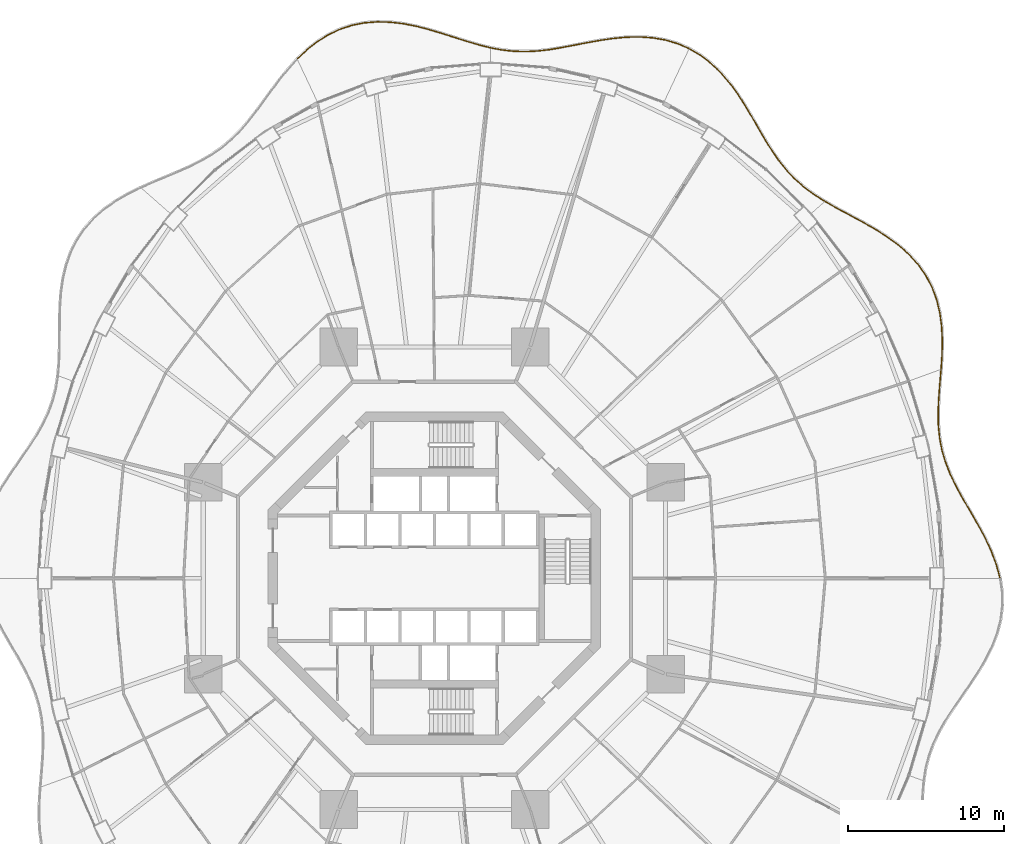
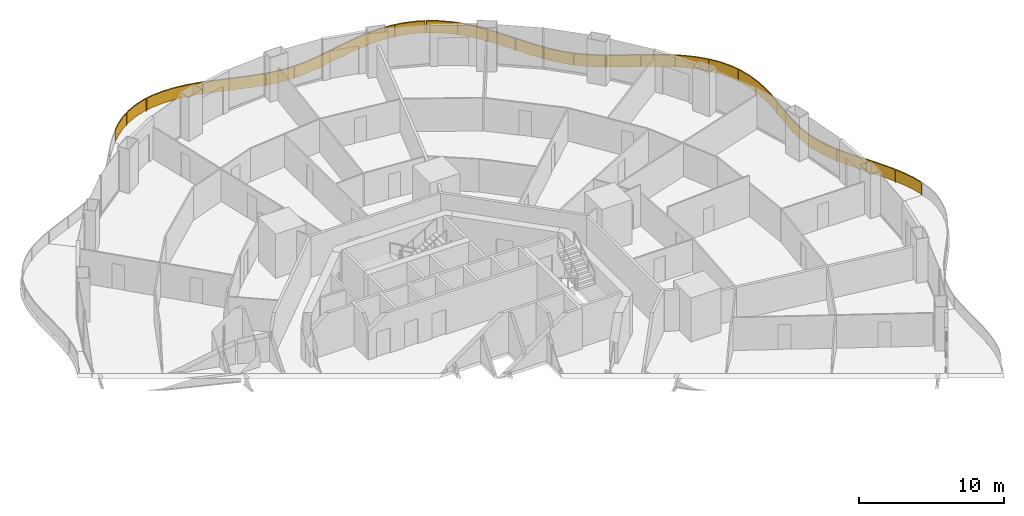
# One storey, part 22 of 22: 5 railings.
"""IFC4 building model written with IfcOpenShell, lengths in metres."""

from ifc_helpers import new_model, si_unit, direction, frame, origin, origin_2d, place, context, subcontext, project, spatial, polyline, rectangle, outline, extrude, material, type_object, element, save


model = new_model("IFC4")

# Units and contexts
model_context = context("Model", 3, precision=1e-05, world=origin(), true_north=direction((0.0, 1.0)))
body_context = subcontext(model_context, "Body", "Model", "MODEL_VIEW")
ifc_project = project(units=[si_unit("LENGTHUNIT", "METRE"), si_unit("AREAUNIT", "SQUARE_METRE"), si_unit("VOLUMEUNIT", "CUBIC_METRE"), si_unit("PLANEANGLEUNIT", "RADIAN"), si_unit("MASSUNIT", "GRAM", prefix="KILO")], contexts=[model_context])

# Site, building, storey
site_placement = place(None, origin())
site = spatial("IfcSite", under=ifc_project, at=site_placement, CompositionType="ELEMENT")
building_placement = place(site_placement, origin())
building = spatial("IfcBuilding", under=site, at=building_placement, Name="Nagisa Residences", CompositionType="ELEMENT")
storey_placement = place(building_placement, frame((0.0, 0.0, 34.39990234375)))
storey = spatial("IfcBuildingStorey", under=building, at=storey_placement, Name="L07", CompositionType="ELEMENT", Elevation=34.39990234375)

# Railings
ifc_material = material(Name="Stainless steel 316", Category="steel")
railing_type = type_object("IfcRailingType", Name="BALCONY GUARD 1100", PredefinedType="BALUSTRADE", material=ifc_material)
railing_1_placement = place(storey_placement, frame((36.14404296875, 0.037353515625, 0.0)))
element("IfcRailing", 1, at=railing_1_placement, inside=storey, type_object=railing_type, Name="guard:L07:bal00-0", PredefinedType="BALUSTRADE", context=body_context, shape_type="SweptSolid", body=[
    extrude(outline(polyline([(-0.247802734375, 0.827392578125), (-0.024169921875, -0.006591796875), (0.024169921875, 0.006591796875), (-0.199951171875, 0.842529296875), (-0.527587890625, 1.710693359375), (-0.926513671875, 2.561279296875), (-1.372802734375, 3.392578125), (-1.84033203125, 4.204833984375), (-2.301025390625, 4.987060546875), (-2.733642578125, 5.771240234375), (-3.115234375, 6.550537109375), (-3.43017578125, 7.331298828125), (-3.668212890625, 8.121826171875), (-3.82275390625, 8.915283203125), (-3.90380859375, 9.744873046875), (-3.917236328125, 10.6005859375), (-3.879638671875, 11.48388671875), (-3.810791015625, 12.392578125), (-3.73583984375, 13.277099609375), (-3.78564453125, 13.281494140625), (-3.860595703125, 12.396484375), (-3.929443359375, 11.48681640625), (-3.967529296875, 10.60107421875), (-3.95361328125, 9.741943359375), (-3.87255859375, 8.907958984375), (-3.717041015625, 8.109619140625), (-3.4775390625, 7.314697265625), (-3.1611328125, 6.530029296875), (-2.778076171875, 5.748291015625), (-2.344482421875, 4.962158203125), (-1.8837890625, 4.179443359375), (-1.416748046875, 3.3681640625), (-0.971435546875, 2.538818359375), (-0.573486328125, 1.691162109375), (-0.247802734375, 0.827392578125)])), frame((0.0, 0.0, 1.050048828125)), (0.0, 0.0, 1.0), 0.050048828125),
    extrude(outline(polyline([(-0.23046875, 0.832763671875), (-0.0068359375, -0.001708984375), (0.0068359375, 0.001708984375), (-0.21728515625, 0.837158203125), (-0.544189453125, 1.70361328125), (-0.942626953125, 2.55322265625), (-1.388671875, 3.3837890625), (-1.85595703125, 4.195556640625), (-2.316650390625, 4.97802734375), (-2.749755859375, 5.762939453125), (-3.1318359375, 6.543212890625), (-3.447265625, 7.325439453125), (-3.685791015625, 8.117431640625), (-3.8408203125, 8.91259765625), (-3.921630859375, 9.743896484375), (-3.935302734375, 10.600830078125), (-3.8974609375, 11.48486328125), (-3.82861328125, 12.39404296875), (-3.753662109375, 13.27880859375), (-3.767822265625, 13.27978515625), (-3.8427734375, 12.39501953125), (-3.91162109375, 11.48583984375), (-3.949462890625, 10.600830078125), (-3.935791015625, 9.742919921875), (-3.8544921875, 8.91064453125), (-3.699462890625, 8.114013671875), (-3.46044921875, 7.320556640625), (-3.14453125, 6.537353515625), (-2.761962890625, 5.756591796875), (-2.328857421875, 4.97119140625), (-1.8681640625, 4.188720703125), (-1.40087890625, 3.376953125), (-0.955322265625, 2.546875), (-0.556884765625, 1.6982421875), (-0.23046875, 0.832763671875)])), frame((0.0, 0.0, 0.06005859375)), (0.0, 0.0, 1.0), 0.989990234375),
    extrude(rectangle(XDim=0.0400390625, YDim=0.0400390625, at=origin_2d()), origin(), (0.0, 0.0, 1.0), 1.050048828125),
    extrude(rectangle(XDim=0.0400390625, YDim=0.0400390625, at=origin_2d()), frame((-0.79150390625, 2.214111328125, 0.0)), (0.0, 0.0, 1.0), 1.050048828125),
    extrude(rectangle(XDim=0.0400390625, YDim=0.0400390625, at=origin_2d()), frame((-1.916259765625, 4.2841796875, 0.0)), (0.0, 0.0, 1.0), 1.050048828125),
    extrude(rectangle(XDim=0.0400390625, YDim=0.0400390625, at=origin_2d()), frame((-3.0458984375, 6.351806640625, 0.0)), (0.0, 0.0, 1.0), 1.050048828125),
    extrude(rectangle(XDim=0.0400390625, YDim=0.0400390625, at=origin_2d()), frame((-3.783447265625, 8.582275390625, 0.0)), (0.0, 0.0, 1.0), 1.050048828125),
    extrude(rectangle(XDim=0.0400390625, YDim=0.0400390625, at=origin_2d()), frame((-3.928466796875, 10.9287109375, 0.0)), (0.0, 0.0, 1.0), 1.050048828125),
    extrude(rectangle(XDim=0.0400390625, YDim=0.0400390625, at=origin_2d()), frame((-3.7607421875, 13.279296875, 0.0)), (0.0, 0.0, 1.0), 1.050048828125),
])
railing_2_placement = place(storey_placement, frame((32.390380859375, 13.392822265625, 0.0)))
element("IfcRailing", 2, at=railing_2_placement, inside=storey, type_object=railing_type, Name="guard:L07:bal01-0", PredefinedType="BALUSTRADE", context=body_context, shape_type="SweptSolid", body=[
    extrude(outline(polyline([(0.032470703125, 0.86865234375), (-0.02490234375, 0.001708984375), (0.02490234375, -0.001708984375), (0.082275390625, 0.86669921875), (0.1015625, 1.783203125), (0.060546875, 2.6923828125), (-0.057861328125, 3.58251953125), (-0.267333984375, 4.442138671875), (-0.569580078125, 5.247802734375), (-0.980712890625, 6.016357421875), (-1.490478515625, 6.728515625), (-2.09130859375, 7.380859375), (-2.76953125, 7.9736328125), (-3.5, 8.498779296875), (-4.27978515625, 8.98876953125), (-5.0810546875, 9.4423828125), (-5.882568359375, 9.87255859375), (-6.666748046875, 10.29443359375), (-7.380859375, 10.70068359375), (-7.40576171875, 10.6572265625), (-6.691162109375, 10.25048828125), (-5.90625, 9.82861328125), (-5.10498046875, 9.3984375), (-4.3056640625, 8.94580078125), (-3.52783203125, 8.457275390625), (-2.80078125, 7.9345703125), (-2.12646484375, 7.3447265625), (-1.529541015625, 6.69677734375), (-1.023193359375, 5.989990234375), (-0.615478515625, 5.227294921875), (-0.315185546875, 4.427490234375), (-0.107177734375, 3.5732421875), (0.0107421875, 2.68798828125), (0.05126953125, 1.78271484375), (0.032470703125, 0.86865234375)])), frame((0.0, 0.0, 1.050048828125)), (0.0, 0.0, 1.0), 0.050048828125),
    extrude(outline(polyline([(0.05029296875, 0.867919921875), (-0.007080078125, 0.00048828125), (0.007080078125, -0.00048828125), (0.064453125, 0.867431640625), (0.08349609375, 1.782958984375), (0.042724609375, 2.69091796875), (-0.07568359375, 3.5791015625), (-0.28466796875, 4.436767578125), (-0.586181640625, 5.240478515625), (-0.99609375, 6.0068359375), (-1.504638671875, 6.717041015625), (-2.10400390625, 7.367919921875), (-2.78076171875, 7.95947265625), (-3.510009765625, 8.48388671875), (-4.2890625, 8.973388671875), (-5.089599609375, 9.426513671875), (-5.89111328125, 9.856689453125), (-6.675537109375, 10.278564453125), (-7.389892578125, 10.68505859375), (-7.396728515625, 10.6728515625), (-6.682373046875, 10.266357421875), (-5.89794921875, 9.844482421875), (-5.096435546875, 9.414306640625), (-4.29638671875, 8.961181640625), (-3.517822265625, 8.47216796875), (-2.78955078125, 7.94873046875), (-2.11376953125, 7.357666015625), (-1.515380859375, 6.708251953125), (-1.0078125, 5.99951171875), (-0.598876953125, 5.234619140625), (-0.2978515625, 4.432861328125), (-0.08935546875, 3.57666015625), (0.028564453125, 2.689453125), (0.0693359375, 1.782958984375), (0.05029296875, 0.867919921875)])), frame((0.0, 0.0, 0.06005859375)), (0.0, 0.0, 1.0), 0.989990234375),
    extrude(rectangle(XDim=0.0400390625, YDim=0.0400390625, at=origin_2d()), origin(), (0.0, 0.0, 1.0), 1.050048828125),
    extrude(rectangle(XDim=0.0400390625, YDim=0.0400390625, at=origin_2d()), frame((0.05029296875, 2.36572265625, 0.0)), (0.0, 0.0, 1.0), 1.050048828125),
    extrude(rectangle(XDim=0.0400390625, YDim=0.0400390625, at=origin_2d()), frame((-0.384765625, 4.683837890625, 0.0)), (0.0, 0.0, 1.0), 1.050048828125),
    extrude(rectangle(XDim=0.0400390625, YDim=0.0400390625, at=origin_2d()), frame((-1.53466796875, 6.7392578125, 0.0)), (0.0, 0.0, 1.0), 1.050048828125),
    extrude(rectangle(XDim=0.0400390625, YDim=0.0400390625, at=origin_2d()), frame((-3.29052734375, 8.3173828125, 0.0)), (0.0, 0.0, 1.0), 1.050048828125),
    extrude(rectangle(XDim=0.0400390625, YDim=0.0400390625, at=origin_2d()), frame((-5.316650390625, 9.54052734375, 0.0)), (0.0, 0.0, 1.0), 1.050048828125),
    extrude(rectangle(XDim=0.0400390625, YDim=0.0400390625, at=origin_2d()), frame((-7.393310546875, 10.678955078125, 0.0)), (0.0, 0.0, 1.0), 1.050048828125),
])
railing_3_placement = place(storey_placement, frame((24.933349609375, 24.107666015625, 0.0)))
element("IfcRailing", 3, at=railing_3_placement, inside=storey, type_object=railing_type, Name="guard:L07:bal02-0", PredefinedType="BALUSTRADE", context=body_context, shape_type="SweptSolid", body=[
    extrude(outline(polyline([(-0.65283203125, 0.384765625), (-0.013427734375, -0.021240234375), (0.013427734375, 0.021240234375), (-0.62451171875, 0.42626953125), (-1.251708984375, 0.886962890625), (-1.82958984375, 1.388427734375), (-2.3603515625, 1.9375), (-2.849365234375, 2.53662109375), (-3.29345703125, 3.174072265625), (-3.72802734375, 3.865966796875), (-4.154296875, 4.593017578125), (-4.5859375, 5.342041015625), (-5.0361328125, 6.09765625), (-5.50341796875, 6.83349609375), (-6.0263671875, 7.549072265625), (-6.5986328125, 8.217041015625), (-7.225341796875, 8.820556640625), (-7.907470703125, 9.344482421875), (-8.6005859375, 9.753173828125), (-8.6259765625, 9.710205078125), (-7.935302734375, 9.302978515625), (-7.258056640625, 8.782470703125), (-6.63525390625, 8.182861328125), (-6.0654296875, 7.517822265625), (-5.544921875, 6.80517578125), (-5.07861328125, 6.0712890625), (-4.62890625, 5.316650390625), (-4.19775390625, 4.567626953125), (-3.77099609375, 3.840087890625), (-3.3349609375, 3.146240234375), (-2.889404296875, 2.50634765625), (-2.39794921875, 1.904296875), (-1.8642578125, 1.352294921875), (-1.282958984375, 0.847900390625), (-0.65283203125, 0.384765625)])), frame((0.0, 0.0, 1.050048828125)), (0.0, 0.0, 1.0), 0.050048828125),
    extrude(outline(polyline([(-0.642578125, 0.399658203125), (-0.003662109375, -0.005859375), (0.003662109375, 0.005859375), (-0.634765625, 0.411376953125), (-1.262939453125, 0.872802734375), (-1.842041015625, 1.37548828125), (-2.3740234375, 1.925537109375), (-2.86376953125, 2.525634765625), (-3.308349609375, 3.1640625), (-3.743408203125, 3.856689453125), (-4.169921875, 4.583740234375), (-4.601318359375, 5.332763671875), (-5.051513671875, 6.088134765625), (-5.518310546875, 6.8232421875), (-6.04052734375, 7.537841796875), (-6.61181640625, 8.204833984375), (-7.237060546875, 8.806884765625), (-7.91748046875, 9.32958984375), (-8.609619140625, 9.73779296875), (-8.616943359375, 9.7255859375), (-7.92529296875, 9.31787109375), (-7.246337890625, 8.796142578125), (-6.6220703125, 8.195068359375), (-6.05126953125, 7.529052734375), (-5.530029296875, 6.8154296875), (-5.063232421875, 6.080810546875), (-4.613525390625, 5.325927734375), (-4.18212890625, 4.576904296875), (-3.755615234375, 3.849365234375), (-3.320068359375, 3.15625), (-2.875, 2.517333984375), (-2.38427734375, 1.916259765625), (-1.851806640625, 1.365234375), (-1.271728515625, 0.862060546875), (-0.642578125, 0.399658203125)])), frame((0.0, 0.0, 0.06005859375)), (0.0, 0.0, 1.0), 0.989990234375),
    extrude(rectangle(XDim=0.0400390625, YDim=0.0400390625, at=origin_2d()), origin(), (0.0, 0.0, 1.0), 1.050048828125),
    extrude(rectangle(XDim=0.0400390625, YDim=0.0400390625, at=origin_2d()), frame((-1.766845703125, 1.301025390625, 0.0)), (0.0, 0.0, 1.0), 1.050048828125),
    extrude(rectangle(XDim=0.0400390625, YDim=0.0400390625, at=origin_2d()), frame((-3.184326171875, 2.9736328125, 0.0)), (0.0, 0.0, 1.0), 1.050048828125),
    extrude(rectangle(XDim=0.0400390625, YDim=0.0400390625, at=origin_2d()), frame((-4.33056640625, 4.848388671875, 0.0)), (0.0, 0.0, 1.0), 1.050048828125),
    extrude(rectangle(XDim=0.0400390625, YDim=0.0400390625, at=origin_2d()), frame((-5.467041015625, 6.7294921875, 0.0)), (0.0, 0.0, 1.0), 1.050048828125),
    extrude(rectangle(XDim=0.0400390625, YDim=0.0400390625, at=origin_2d()), frame((-6.854248046875, 8.428466796875, 0.0)), (0.0, 0.0, 1.0), 1.050048828125),
    extrude(rectangle(XDim=0.0400390625, YDim=0.0400390625, at=origin_2d()), frame((-8.61328125, 9.731689453125, 0.0)), (0.0, 0.0, 1.0), 1.050048828125),
])
railing_4_placement = place(storey_placement, frame((16.251220703125, 33.874267578125, 0.0)))
element("IfcRailing", 4, at=railing_4_placement, inside=storey, type_object=railing_type, Name="guard:L07:bal03-0", PredefinedType="BALUSTRADE", context=body_context, shape_type="SweptSolid", body=[
    extrude(outline(polyline([(-0.71728515625, 0.281494140625), (-0.010009765625, -0.02294921875), (0.010009765625, 0.02294921875), (-0.7001953125, 0.328857421875), (-1.493408203125, 0.560546875), (-2.316650390625, 0.701171875), (-3.160400390625, 0.7568359375), (-4.01513671875, 0.738037109375), (-4.85498046875, 0.6533203125), (-5.705322265625, 0.528564453125), (-6.54296875, 0.377197265625), (-7.363037109375, 0.21728515625), (-8.163818359375, 0.06640625), (-8.9267578125, -0.06103515625), (-9.689208984375, -0.146484375), (-10.437744140625, -0.181396484375), (-11.177490234375, -0.16015625), (-11.914306640625, -0.080322265625), (-12.61181640625, 0.048828125), (-12.62109375, -0.00048828125), (-11.921630859375, -0.129638671875), (-11.180908203125, -0.2099609375), (-10.437255859375, -0.231689453125), (-9.685302734375, -0.1962890625), (-8.919921875, -0.11083984375), (-8.155029296875, 0.01708984375), (-7.353759765625, 0.16796875), (-6.53369140625, 0.327880859375), (-5.697021484375, 0.479248046875), (-4.8486328125, 0.603515625), (-4.01220703125, 0.688232421875), (-3.161376953125, 0.70654296875), (-2.322509765625, 0.6513671875), (-1.504638671875, 0.51171875), (-0.71728515625, 0.281494140625)])), frame((0.0, 0.0, 1.050048828125)), (0.0, 0.0, 1.0), 0.050048828125),
    extrude(outline(polyline([(-0.711181640625, 0.298583984375), (-0.002685546875, -0.00634765625), (0.002685546875, 0.00634765625), (-0.706298828125, 0.311767578125), (-1.49755859375, 0.54296875), (-2.31884765625, 0.683349609375), (-3.16064453125, 0.73876953125), (-4.01416015625, 0.72021484375), (-4.852783203125, 0.63525390625), (-5.702392578125, 0.5107421875), (-6.53955078125, 0.359375), (-7.359619140625, 0.199462890625), (-8.16064453125, 0.048583984375), (-8.92431640625, -0.0791015625), (-9.687744140625, -0.164306640625), (-10.4375, -0.199462890625), (-11.1787109375, -0.177978515625), (-11.9169921875, -0.09814453125), (-12.615234375, 0.031005859375), (-12.61767578125, 0.017333984375), (-11.9189453125, -0.11181640625), (-11.1796875, -0.192138671875), (-10.4375, -0.213623046875), (-9.686767578125, -0.178466796875), (-8.92236328125, -0.0927734375), (-8.158203125, 0.034912109375), (-7.357177734375, 0.185791015625), (-6.537109375, 0.345703125), (-5.699951171875, 0.4970703125), (-4.850830078125, 0.62158203125), (-4.01318359375, 0.7060546875), (-3.1611328125, 0.724609375), (-2.3203125, 0.669189453125), (-1.50048828125, 0.529296875), (-0.711181640625, 0.298583984375)])), frame((0.0, 0.0, 0.06005859375)), (0.0, 0.0, 1.0), 0.989990234375),
    extrude(rectangle(XDim=0.0400390625, YDim=0.0400390625, at=origin_2d()), origin(), (0.0, 0.0, 1.0), 1.050048828125),
    extrude(rectangle(XDim=0.0400390625, YDim=0.0400390625, at=origin_2d()), frame((-2.0322265625, 0.627197265625, 0.0)), (0.0, 0.0, 1.0), 1.050048828125),
    extrude(rectangle(XDim=0.0400390625, YDim=0.0400390625, at=origin_2d()), frame((-4.1611328125, 0.6982421875, 0.0)), (0.0, 0.0, 1.0), 1.050048828125),
    extrude(rectangle(XDim=0.0400390625, YDim=0.0400390625, at=origin_2d()), frame((-6.275146484375, 0.400146484375, 0.0)), (0.0, 0.0, 1.0), 1.050048828125),
    extrude(rectangle(XDim=0.0400390625, YDim=0.0400390625, at=origin_2d()), frame((-8.374267578125, 0.005859375, 0.0)), (0.0, 0.0, 1.0), 1.050048828125),
    extrude(rectangle(XDim=0.0400390625, YDim=0.0400390625, at=origin_2d()), frame((-10.4970703125, -0.204833984375, 0.0)), (0.0, 0.0, 1.0), 1.050048828125),
    extrude(rectangle(XDim=0.0400390625, YDim=0.0400390625, at=origin_2d()), frame((-12.616455078125, 0.024169921875, 0.0)), (0.0, 0.0, 1.0), 1.050048828125),
])
railing_5_placement = place(storey_placement, frame((3.565673828125, 33.915283203125, 0.0)))
element("IfcRailing", 5, at=railing_5_placement, inside=storey, type_object=railing_type, Name="guard:L07:bal04-0", PredefinedType="BALUSTRADE", context=body_context, shape_type="SweptSolid", body=[
    extrude(outline(polyline([(-0.714599609375, 0.15234375), (-0.006103515625, -0.024169921875), (0.006103515625, 0.024169921875), (-0.701416015625, 0.20068359375), (-1.4658203125, 0.4248046875), (-2.24755859375, 0.673095703125), (-3.04833984375, 0.9287109375), (-3.866943359375, 1.173095703125), (-4.683837890625, 1.39013671875), (-5.528564453125, 1.55615234375), (-6.377685546875, 1.6572265625), (-7.222412109375, 1.6796875), (-8.054931640625, 1.612548828125), (-8.849365234375, 1.45458984375), (-9.631591796875, 1.194091796875), (-10.3779296875, 0.838623046875), (-11.082763671875, 0.39453125), (-11.744140625, -0.127685546875), (-12.32568359375, -0.6826171875), (-12.291015625, -0.71875), (-11.71142578125, -0.165283203125), (-11.053955078125, 0.353515625), (-10.353515625, 0.794677734375), (-9.613037109375, 1.147705078125), (-8.836669921875, 1.40625), (-8.048095703125, 1.562744140625), (-7.220947265625, 1.62939453125), (-6.381103515625, 1.607421875), (-5.536376953125, 1.5068359375), (-4.695068359375, 1.34130859375), (-3.880615234375, 1.124755859375), (-3.06298828125, 0.880859375), (-2.2626953125, 0.625244140625), (-1.48046875, 0.376953125), (-0.714599609375, 0.15234375)])), frame((0.0, 0.0, 1.050048828125)), (0.0, 0.0, 1.0), 0.050048828125),
    extrude(outline(polyline([(-0.7099609375, 0.169677734375), (-0.001708984375, -0.0068359375), (0.001708984375, 0.0068359375), (-0.7060546875, 0.183349609375), (-1.47119140625, 0.407470703125), (-2.2529296875, 0.65576171875), (-3.0537109375, 0.911376953125), (-3.871826171875, 1.15576171875), (-4.68798828125, 1.37255859375), (-5.531494140625, 1.538330078125), (-6.37890625, 1.639404296875), (-7.221923828125, 1.66162109375), (-8.052490234375, 1.594482421875), (-8.8447265625, 1.437255859375), (-9.625, 1.177490234375), (-10.369140625, 0.82275390625), (-11.072509765625, 0.379638671875), (-11.732421875, -0.14111328125), (-12.313232421875, -0.695556640625), (-12.303466796875, -0.705810546875), (-11.72314453125, -0.15185546875), (-11.064208984375, 0.368408203125), (-10.3623046875, 0.810546875), (-9.61962890625, 1.164306640625), (-8.84130859375, 1.423583984375), (-8.050537109375, 1.580810546875), (-7.221435546875, 1.6474609375), (-6.3798828125, 1.625244140625), (-5.533447265625, 1.524658203125), (-4.69091796875, 1.35888671875), (-3.875732421875, 1.14208984375), (-3.0576171875, 0.898193359375), (-2.25732421875, 0.642578125), (-1.47509765625, 0.394287109375), (-0.7099609375, 0.169677734375)])), frame((0.0, 0.0, 0.06005859375)), (0.0, 0.0, 1.0), 0.989990234375),
    extrude(rectangle(XDim=0.0400390625, YDim=0.0400390625, at=origin_2d()), origin(), (0.0, 0.0, 1.0), 1.050048828125),
    extrude(rectangle(XDim=0.0400390625, YDim=0.0400390625, at=origin_2d()), frame((-2.1142578125, 0.6044921875, 0.0)), (0.0, 0.0, 1.0), 1.050048828125),
    extrude(rectangle(XDim=0.0400390625, YDim=0.0400390625, at=origin_2d()), frame((-4.219482421875, 1.24072265625, 0.0)), (0.0, 0.0, 1.0), 1.050048828125),
    extrude(rectangle(XDim=0.0400390625, YDim=0.0400390625, at=origin_2d()), frame((-6.380615234375, 1.63232421875, 0.0)), (0.0, 0.0, 1.0), 1.050048828125),
    extrude(rectangle(XDim=0.0400390625, YDim=0.0400390625, at=origin_2d()), frame((-8.567138671875, 1.485107421875, 0.0)), (0.0, 0.0, 1.0), 1.050048828125),
    extrude(rectangle(XDim=0.0400390625, YDim=0.0400390625, at=origin_2d()), frame((-10.59716796875, 0.6708984375, 0.0)), (0.0, 0.0, 1.0), 1.050048828125),
    extrude(rectangle(XDim=0.0400390625, YDim=0.0400390625, at=origin_2d()), frame((-12.308349609375, -0.70068359375, 0.0)), (0.0, 0.0, 1.0), 1.050048828125),
])

save(model, "model.ifc")
